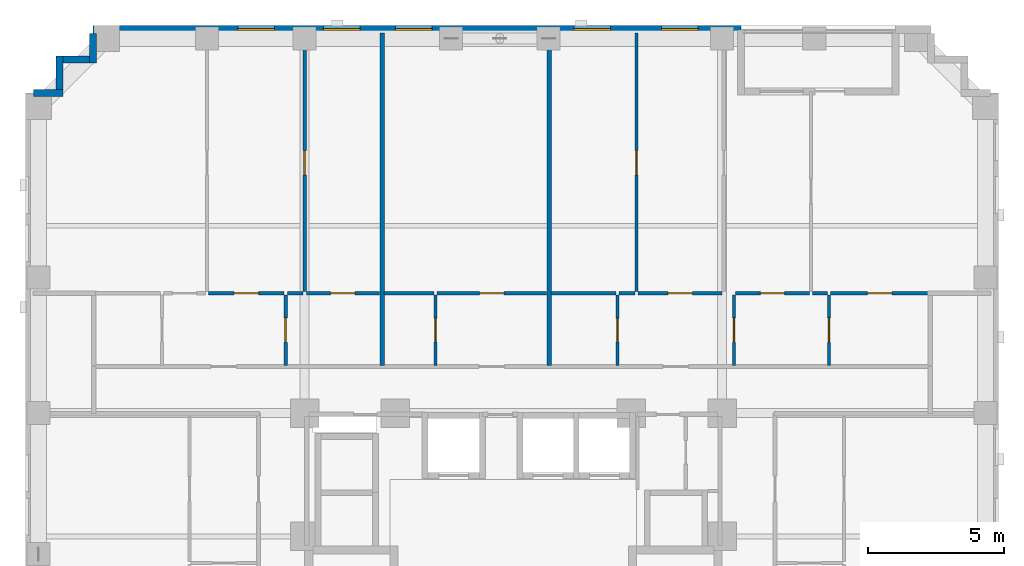
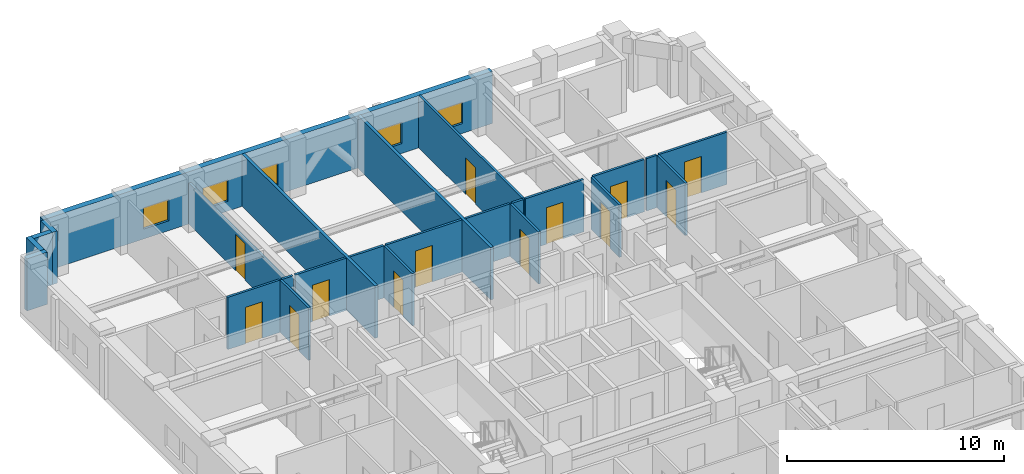
# One storey, part 7 of 12: 25 walls, 13 doors, 5 windows, 18 openings.
"""IFC4 building model written with IfcOpenShell, lengths in metres."""

from ifc_helpers import new_model, si_unit, derived_unit, direction, frame, frame_2d, origin, place, context, subcontext, project, spatial, rectangle, extrude, material, layer, layer_set, type_object, element, fill, save


model = new_model("IFC4")

# Units and contexts
model_context = context("Model", 3, precision=1e-05, world=origin(), true_north=direction((0.0, 1.0)))
body_context = subcontext(model_context, "Body", "Model", "MODEL_VIEW")
ifc_project = project(units=[si_unit("LENGTHUNIT", "METRE"), si_unit("AREAUNIT", "SQUARE_METRE"), si_unit("VOLUMEUNIT", "CUBIC_METRE"), si_unit("PLANEANGLEUNIT", "RADIAN"), si_unit("MASSUNIT", "GRAM", prefix="KILO"), derived_unit("THERMALTRANSMITTANCEUNIT", [(si_unit("MASSUNIT", "GRAM", prefix="KILO"), 1), (si_unit("TIMEUNIT", "SECOND"), -3), (si_unit("THERMODYNAMICTEMPERATUREUNIT", "KELVIN"), -1)])], contexts=[model_context])

# Site, building, storey
site_placement = place(None, origin())
site = spatial("IfcSite", under=ifc_project, at=site_placement, CompositionType="ELEMENT")
building_placement = place(site_placement, origin())
building = spatial("IfcBuilding", under=site, at=building_placement, Name="Korrvale Station Residences", CompositionType="ELEMENT")
storey_placement = place(building_placement, frame((0.0, 0.0, 94.300048828125)))
storey = spatial("IfcBuildingStorey", under=building, at=storey_placement, Name="L26", CompositionType="ELEMENT", Elevation=94.300048828125)

# Walls
ifc_material_1 = material(Name="Precast concrete C45/55", Category="concrete")
ifc_layer_1 = layer(ifc_material_1, 0.260009765625, Name="Precast concrete C45/55")
ifc_layer_set_1 = layer_set([ifc_layer_1], Name="Precast concrete C45/55")
wall_type_1 = type_object("IfcWallType", Name="WAL-EXT-LOG260", PredefinedType="SOLIDWALL", material=ifc_layer_set_1)
wall_1_placement = place(storey_placement, frame((7.802001953125, 40.800048828125, 0.0), z_axis=(0.0, 0.0, 1.0), x_axis=(1.0, 0.0, 0.0)))
element("IfcWall", 1, at=wall_1_placement, inside=storey, type_object=wall_type_1, Name="L26 Serrated Corner Precast Step NW-1", PredefinedType="SOLIDWALL", context=body_context, shape_type="SweptSolid", body=[
    extrude(rectangle(XDim=1.077880859375, YDim=0.260009765625, at=frame_2d((0.5390625, 0.0))), origin(), (0.0, 0.0, 1.0), 2.93994140625),
])
wall_2_placement = place(storey_placement, frame((8.75, 40.931884765625, 0.0), z_axis=(0.0, 0.0, 1.0), x_axis=(0.0, 1.0, 0.0)))
element("IfcWall", 2, at=wall_2_placement, inside=storey, type_object=wall_type_1, Name="L26 Serrated Corner Precast Step NW-2", PredefinedType="SOLIDWALL", context=body_context, shape_type="SweptSolid", body=[
    extrude(rectangle(XDim=1.248046875, YDim=0.260009765625, at=frame_2d((0.6240234375, 0.0))), origin(), (0.0, 0.0, 1.0), 2.93994140625),
])
wall_3_placement = place(storey_placement, frame((8.882080078125, 42.050048828125, 0.0), z_axis=(0.0, 0.0, 1.0), x_axis=(1.0, 0.0, 0.0)))
element("IfcWall", 3, at=wall_3_placement, inside=storey, type_object=wall_type_1, Name="L26 Serrated Corner Precast Step NW-3", PredefinedType="SOLIDWALL", context=body_context, shape_type="SweptSolid", body=[
    extrude(rectangle(XDim=0.98583984375, YDim=0.260009765625, at=frame_2d((0.492919921875, 0.0))), origin(), (0.0, 0.0, 1.0), 2.93994140625),
])
wall_4_placement = place(storey_placement, frame((10.0, 41.919921875, 0.0), z_axis=(0.0, 0.0, 1.0), x_axis=(0.0, 1.0, 0.0)))
element("IfcWall", 4, at=wall_4_placement, inside=storey, type_object=wall_type_1, Name="L26 Serrated Corner Precast Step NW-4", PredefinedType="SOLIDWALL", context=body_context, shape_type="SweptSolid", body=[
    extrude(rectangle(XDim=1.078125, YDim=0.260009765625, at=frame_2d((0.5390625, 0.0))), origin(), (0.0, 0.0, 1.0), 2.93994140625),
])

# Wall, openings, windows
ifc_layer_2 = layer(ifc_material_1, 0.300048828125, Name="Precast concrete C45/55")
ifc_layer_set_2 = layer_set([ifc_layer_2], Name="Precast concrete C45/55")
wall_type_2 = type_object("IfcWallType", Name="WAL-EXT-PC300", PredefinedType="SOLIDWALL", material=ifc_layer_set_2)
wall_5_placement = place(storey_placement, frame((10.0, 43.14990234375, 0.0), z_axis=(0.0, 0.0, 1.0), x_axis=(1.0, 0.0, 0.0)))
wall_5 = element("IfcWall", 5, at=wall_5_placement, inside=storey, type_object=wall_type_2, Name="L26 North Exterior Precast Wall 1", PredefinedType="SOLIDWALL", context=body_context, shape_type="SweptSolid", body=[
    extrude(rectangle(XDim=23.89990234375, YDim=0.300048828125, at=frame_2d((11.949951171875, 0.0))), origin(), (0.0, 0.0, 1.0), 2.93994140625),
])
opening_1_placement = place(wall_5_placement, frame((5.3369140625, 0.0, 0.550048828125)))
opening_1 = element("IfcOpeningElement", 6, at=opening_1_placement, cuts=wall_5, Name="Opening W-10", PredefinedType="OPENING", context=body_context, shape_type="SweptSolid", body=[
    extrude(rectangle(XDim=1.35009765625, YDim=1.199951171875, at=frame_2d((0.675048828125, 0.60009765625))), frame((0.0, 0.16015625, 0.0), z_axis=(0.0, -1.0, 0.0), x_axis=(1.0, 0.0, 0.0)), (0.0, 0.0, 1.0), 0.320068359375),
])
opening_2_placement = place(wall_5_placement, frame((8.493896484375, 0.0, 0.550048828125)))
opening_2 = element("IfcOpeningElement", 7, at=opening_2_placement, cuts=wall_5, Name="Opening W-10", PredefinedType="OPENING", context=body_context, shape_type="SweptSolid", body=[
    extrude(rectangle(XDim=1.35009765625, YDim=1.199951171875, at=frame_2d((0.675048828125, 0.60009765625))), frame((0.0, 0.16015625, 0.0), z_axis=(0.0, -1.0, 0.0), x_axis=(1.0, 0.0, 0.0)), (0.0, 0.0, 1.0), 0.320068359375),
])
opening_3_placement = place(wall_5_placement, frame((11.14990234375, 0.0, 0.550048828125)))
opening_3 = element("IfcOpeningElement", 8, at=opening_3_placement, cuts=wall_5, Name="Opening W-10", PredefinedType="OPENING", context=body_context, shape_type="SweptSolid", body=[
    extrude(rectangle(XDim=1.35009765625, YDim=1.199951171875, at=frame_2d((0.675048828125, 0.60009765625))), frame((0.0, 0.16015625, 0.0), z_axis=(0.0, -1.0, 0.0), x_axis=(1.0, 0.0, 0.0)), (0.0, 0.0, 1.0), 0.320068359375),
])
opening_4_placement = place(wall_5_placement, frame((17.738037109375, 0.0, 0.550048828125)))
opening_4 = element("IfcOpeningElement", 9, at=opening_4_placement, cuts=wall_5, Name="Opening W-10", PredefinedType="OPENING", context=body_context, shape_type="SweptSolid", body=[
    extrude(rectangle(XDim=1.35009765625, YDim=1.199951171875, at=frame_2d((0.675048828125, 0.60009765625))), frame((0.0, 0.16015625, 0.0), z_axis=(0.0, -1.0, 0.0), x_axis=(1.0, 0.0, 0.0)), (0.0, 0.0, 1.0), 0.320068359375),
])
opening_5_placement = place(wall_5_placement, frame((20.969970703125, 0.0, 0.550048828125)))
opening_5 = element("IfcOpeningElement", 10, at=opening_5_placement, cuts=wall_5, Name="Opening W-10", PredefinedType="OPENING", context=body_context, shape_type="SweptSolid", body=[
    extrude(rectangle(XDim=1.35009765625, YDim=1.199951171875, at=frame_2d((0.675048828125, 0.60009765625))), frame((0.0, 0.16015625, 0.0), z_axis=(0.0, -1.0, 0.0), x_axis=(1.0, 0.0, 0.0)), (0.0, 0.0, 1.0), 0.320068359375),
])
ifc_material_2 = material(Name="Thermally broken aluminium frame with triple low-e glazing", Category="aluminium")
window_type = type_object("IfcWindowType", Name="WIN-W10", PartitioningType="SINGLE_PANEL", PredefinedType="WINDOW", material=ifc_material_2)
window_1_placement = place(opening_1_placement, origin())
window_1 = element("IfcWindow", 11, at=window_1_placement, inside=storey, type_object=window_type, Name="L26 Punched Window 13", OverallHeight=1.199951171875, OverallWidth=1.35009765625, PartitioningType="SINGLE_PANEL", PredefinedType="WINDOW", context=body_context, shape_type="SweptSolid", body=[
    extrude(rectangle(XDim=1.35009765625, YDim=1.199951171875, at=frame_2d((0.675048828125, 0.60009765625))), frame((0.0, 0.030029296875, 0.0), z_axis=(0.0, -1.0, 0.0), x_axis=(1.0, 0.0, 0.0)), (0.0, 0.0, 1.0), 0.06005859375),
])
fill(opening_1, window_1)
window_2_placement = place(opening_2_placement, origin())
window_2 = element("IfcWindow", 12, at=window_2_placement, inside=storey, type_object=window_type, Name="L26 Punched Window 14", OverallHeight=1.199951171875, OverallWidth=1.35009765625, PartitioningType="SINGLE_PANEL", PredefinedType="WINDOW", context=body_context, shape_type="SweptSolid", body=[
    extrude(rectangle(XDim=1.35009765625, YDim=1.199951171875, at=frame_2d((0.675048828125, 0.60009765625))), frame((0.0, 0.030029296875, 0.0), z_axis=(0.0, -1.0, 0.0), x_axis=(1.0, 0.0, 0.0)), (0.0, 0.0, 1.0), 0.06005859375),
])
fill(opening_2, window_2)
window_3_placement = place(opening_3_placement, origin())
window_3 = element("IfcWindow", 13, at=window_3_placement, inside=storey, type_object=window_type, Name="L26 Punched Window 15", OverallHeight=1.199951171875, OverallWidth=1.35009765625, PartitioningType="SINGLE_PANEL", PredefinedType="WINDOW", context=body_context, shape_type="SweptSolid", body=[
    extrude(rectangle(XDim=1.35009765625, YDim=1.199951171875, at=frame_2d((0.675048828125, 0.60009765625))), frame((0.0, 0.030029296875, 0.0), z_axis=(0.0, -1.0, 0.0), x_axis=(1.0, 0.0, 0.0)), (0.0, 0.0, 1.0), 0.06005859375),
])
fill(opening_3, window_3)
window_4_placement = place(opening_4_placement, origin())
window_4 = element("IfcWindow", 14, at=window_4_placement, inside=storey, type_object=window_type, Name="L26 Punched Window 16", OverallHeight=1.199951171875, OverallWidth=1.35009765625, PartitioningType="SINGLE_PANEL", PredefinedType="WINDOW", context=body_context, shape_type="SweptSolid", body=[
    extrude(rectangle(XDim=1.35009765625, YDim=1.199951171875, at=frame_2d((0.675048828125, 0.60009765625))), frame((0.0, 0.030029296875, 0.0), z_axis=(0.0, -1.0, 0.0), x_axis=(1.0, 0.0, 0.0)), (0.0, 0.0, 1.0), 0.06005859375),
])
fill(opening_4, window_4)
window_5_placement = place(opening_5_placement, origin())
window_5 = element("IfcWindow", 15, at=window_5_placement, inside=storey, type_object=window_type, Name="L26 Punched Window 17", OverallHeight=1.199951171875, OverallWidth=1.35009765625, PartitioningType="SINGLE_PANEL", PredefinedType="WINDOW", context=body_context, shape_type="SweptSolid", body=[
    extrude(rectangle(XDim=1.35009765625, YDim=1.199951171875, at=frame_2d((0.675048828125, 0.60009765625))), frame((0.0, 0.030029296875, 0.0), z_axis=(0.0, -1.0, 0.0), x_axis=(1.0, 0.0, 0.0)), (0.0, 0.0, 1.0), 0.06005859375),
])
fill(opening_5, window_5)

# Wall, opening, door
ifc_material_3 = material(Name="Acoustic steel-stud gypsum board partition", Category="steel")
ifc_layer_3 = layer(ifc_material_3, 0.1201171875, Name="Acoustic steel-stud gypsum board partition")
ifc_layer_set_3 = layer_set([ifc_layer_3], Name="Acoustic steel-stud gypsum board partition")
wall_type_3 = type_object("IfcWallType", Name="WAL-PART-125", PredefinedType="PARTITIONING", material=ifc_layer_set_3)
wall_6_placement = place(storey_placement, frame((17.10009765625, 30.760009765625, 0.0), z_axis=(0.0, 0.0, 1.0), x_axis=(0.0, 1.0, 0.0)))
wall_6 = element("IfcWall", 16, at=wall_6_placement, inside=storey, type_object=wall_type_3, Name="L26 Suite Partition U05-V12", PredefinedType="PARTITIONING", context=body_context, shape_type="SweptSolid", body=[
    extrude(rectangle(XDim=2.60009765625, YDim=0.1201171875, at=frame_2d((1.300048828125, 0.0))), origin(), (0.0, 0.0, 1.0), 2.93994140625),
])
opening_6_placement = place(wall_6_placement, frame((0.85009765625, 0.0, 0.0)))
opening_6 = element("IfcOpeningElement", 17, at=opening_6_placement, cuts=wall_6, Name="Opening DI-900", PredefinedType="OPENING", context=body_context, shape_type="SweptSolid", body=[
    extrude(rectangle(XDim=0.89990234375, YDim=2.050048828125, at=frame_2d((0.449951171875, 1.02490234375))), frame((0.0, 0.070068359375, 0.0), z_axis=(0.0, -1.0, 0.0), x_axis=(1.0, 0.0, 0.0)), (0.0, 0.0, 1.0), 0.14013671875),
])
ifc_material_4 = material(Name="Painted solid-core timber interior room door", Category="wood")
door_type_1 = type_object("IfcDoorType", Name="DR-INT-900", OperationType="NOTDEFINED", PredefinedType="DOOR", material=ifc_material_4)
door_1_placement = place(opening_6_placement, origin())
door_1 = element("IfcDoor", 18, at=door_1_placement, inside=storey, type_object=door_type_1, Name="L26 Apartment 2BR L26-U05 Kitchen Door", OperationType="SINGLE_SWING_RIGHT", OverallHeight=2.050048828125, OverallWidth=0.89990234375, PredefinedType="DOOR", context=body_context, shape_type="SweptSolid", body=[
    extrude(rectangle(XDim=0.89990234375, YDim=2.050048828125, at=frame_2d((0.449951171875, 1.02490234375))), frame((0.0, 0.02490234375, 0.0), z_axis=(0.0, -1.0, 0.0), x_axis=(1.0, 0.0, 0.0)), (0.0, 0.0, 1.0), 0.050048828125),
])
fill(opening_6, door_1)

wall_7_placement = place(storey_placement, frame((14.260009765625, 33.419921875, 0.0), z_axis=(0.0, 0.0, 1.0), x_axis=(1.0, 0.0, 0.0)))
wall_7 = element("IfcWall", 19, at=wall_7_placement, inside=storey, type_object=wall_type_3, Name="L26 Suite Partition U05-H14", PredefinedType="PARTITIONING", context=body_context, shape_type="SweptSolid", body=[
    extrude(rectangle(XDim=2.780029296875, YDim=0.1201171875, at=frame_2d((1.39013671875, 0.0))), origin(), (0.0, 0.0, 1.0), 2.93994140625),
])
opening_7_placement = place(wall_7_placement, frame((0.93994140625, 0.0, 0.0)))
opening_7 = element("IfcOpeningElement", 20, at=opening_7_placement, cuts=wall_7, Name="Opening DI-900", PredefinedType="OPENING", context=body_context, shape_type="SweptSolid", body=[
    extrude(rectangle(XDim=0.89990234375, YDim=2.050048828125, at=frame_2d((0.449951171875, 1.02490234375))), frame((0.0, 0.070068359375, 0.0), z_axis=(0.0, -1.0, 0.0), x_axis=(1.0, 0.0, 0.0)), (0.0, 0.0, 1.0), 0.14013671875),
])
door_2_placement = place(opening_7_placement, origin())
door_2 = element("IfcDoor", 21, at=door_2_placement, inside=storey, type_object=door_type_1, Name="L26 Apartment 2BR L26-U05 Kitchen Door", OperationType="SINGLE_SWING_RIGHT", OverallHeight=2.050048828125, OverallWidth=0.89990234375, PredefinedType="DOOR", context=body_context, shape_type="SweptSolid", body=[
    extrude(rectangle(XDim=0.89990234375, YDim=2.050048828125, at=frame_2d((0.449951171875, 1.02490234375))), frame((0.0, 0.02490234375, 0.0), z_axis=(0.0, -1.0, 0.0), x_axis=(1.0, 0.0, 0.0)), (0.0, 0.0, 1.0), 0.050048828125),
])
fill(opening_7, door_2)

# Wall
wall_8_placement = place(storey_placement, frame((17.159912109375, 33.419921875, 0.0), z_axis=(0.0, 0.0, 1.0), x_axis=(1.0, 0.0, 0.0)))
element("IfcWall", 22, at=wall_8_placement, inside=storey, type_object=wall_type_3, Name="L26 Suite Partition U05-H24", PredefinedType="PARTITIONING", context=body_context, shape_type="SweptSolid", body=[
    extrude(rectangle(XDim=0.580078125, YDim=0.1201171875, at=frame_2d((0.2900390625, 0.0))), origin(), (0.0, 0.0, 1.0), 2.93994140625),
])

# Wall, opening, door
wall_9_placement = place(storey_placement, frame((17.860107421875, 33.419921875, 0.0), z_axis=(0.0, 0.0, 1.0), x_axis=(1.0, 0.0, 0.0)))
wall_9 = element("IfcWall", 23, at=wall_9_placement, inside=storey, type_object=wall_type_3, Name="L26 Suite Partition U05-H25", PredefinedType="PARTITIONING", context=body_context, shape_type="SweptSolid", body=[
    extrude(rectangle(XDim=2.698974609375, YDim=0.1201171875, at=frame_2d((1.349609375, 0.0))), origin(), (0.0, 0.0, 1.0), 2.93994140625),
])
opening_8_placement = place(wall_9_placement, frame((0.89892578125, 0.0, 0.0)))
opening_8 = element("IfcOpeningElement", 24, at=opening_8_placement, cuts=wall_9, Name="Opening DI-900", PredefinedType="OPENING", context=body_context, shape_type="SweptSolid", body=[
    extrude(rectangle(XDim=0.89990234375, YDim=2.050048828125, at=frame_2d((0.449951171875, 1.02490234375))), frame((0.0, 0.070068359375, 0.0), z_axis=(0.0, -1.0, 0.0), x_axis=(1.0, 0.0, 0.0)), (0.0, 0.0, 1.0), 0.14013671875),
])
door_3_placement = place(opening_8_placement, origin())
door_3 = element("IfcDoor", 25, at=door_3_placement, inside=storey, type_object=door_type_1, Name="L26 Apartment 2BR L26-U05 Home Study Room Door", OperationType="SINGLE_SWING_LEFT", OverallHeight=2.050048828125, OverallWidth=0.89990234375, PredefinedType="DOOR", context=body_context, shape_type="SweptSolid", body=[
    extrude(rectangle(XDim=0.89990234375, YDim=2.050048828125, at=frame_2d((0.449951171875, 1.02490234375))), frame((0.0, 0.02490234375, 0.0), z_axis=(0.0, -1.0, 0.0), x_axis=(1.0, 0.0, 0.0)), (0.0, 0.0, 1.0), 0.050048828125),
])
fill(opening_8, door_3)

wall_10_placement = place(storey_placement, frame((17.800048828125, 33.47998046875, 0.0), z_axis=(0.0, 0.0, 1.0), x_axis=(0.0, 1.0, 0.0)))
wall_10 = element("IfcWall", 26, at=wall_10_placement, inside=storey, type_object=wall_type_3, Name="L26 Suite Partition U05-V45", PredefinedType="PARTITIONING", context=body_context, shape_type="SweptSolid", body=[
    extrude(rectangle(XDim=9.5400390625, YDim=0.1201171875, at=frame_2d((4.77001953125, 0.0))), origin(), (0.0, 0.0, 1.0), 2.308837890625),
])
opening_9_placement = place(wall_10_placement, frame((4.304931640625, 0.0, 0.0)))
opening_9 = element("IfcOpeningElement", 27, at=opening_9_placement, cuts=wall_10, Name="Opening DI-900", PredefinedType="OPENING", context=body_context, shape_type="SweptSolid", body=[
    extrude(rectangle(XDim=0.89990234375, YDim=2.050048828125, at=frame_2d((0.449951171875, 1.02490234375))), frame((0.0, 0.070068359375, 0.0), z_axis=(0.0, -1.0, 0.0), x_axis=(1.0, 0.0, 0.0)), (0.0, 0.0, 1.0), 0.14013671875),
])
door_4_placement = place(opening_9_placement, origin())
door_4 = element("IfcDoor", 28, at=door_4_placement, inside=storey, type_object=door_type_1, Name="L26 Apartment 2BR L26-U05 Bedroom 1 Door", OperationType="SINGLE_SWING_LEFT", OverallHeight=2.050048828125, OverallWidth=0.89990234375, PredefinedType="DOOR", context=body_context, shape_type="SweptSolid", body=[
    extrude(rectangle(XDim=0.89990234375, YDim=2.050048828125, at=frame_2d((0.449951171875, 1.02490234375))), frame((0.0, 0.02490234375, 0.0), z_axis=(0.0, -1.0, 0.0), x_axis=(1.0, 0.0, 0.0)), (0.0, 0.0, 1.0), 0.050048828125),
])
fill(opening_9, door_4)

wall_11_placement = place(storey_placement, frame((22.62890625, 30.760009765625, 0.0), z_axis=(0.0, 0.0, 1.0), x_axis=(0.0, 1.0, 0.0)))
wall_11 = element("IfcWall", 29, at=wall_11_placement, inside=storey, type_object=wall_type_3, Name="L26 Suite Partition U06-V01", PredefinedType="PARTITIONING", context=body_context, shape_type="SweptSolid", body=[
    extrude(rectangle(XDim=2.60009765625, YDim=0.1201171875, at=frame_2d((1.300048828125, 0.0))), origin(), (0.0, 0.0, 1.0), 2.93994140625),
])
opening_10_placement = place(wall_11_placement, frame((0.8701171875, 0.0, 0.0)))
opening_10 = element("IfcOpeningElement", 30, at=opening_10_placement, cuts=wall_11, Name="Opening DB-860", PredefinedType="OPENING", context=body_context, shape_type="SweptSolid", body=[
    extrude(rectangle(XDim=0.860107421875, YDim=2.050048828125, at=frame_2d((0.43017578125, 1.02490234375))), frame((0.0, 0.070068359375, 0.0), z_axis=(0.0, -1.0, 0.0), x_axis=(1.0, 0.0, 0.0)), (0.0, 0.0, 1.0), 0.14013671875),
])
ifc_material_5 = material(Name="Moisture-resistant solid-core bathroom door", Category="timber")
door_type_2 = type_object("IfcDoorType", Name="DR-BATH-860", OperationType="NOTDEFINED", PredefinedType="DOOR", material=ifc_material_5)
door_5_placement = place(opening_10_placement, origin())
door_5 = element("IfcDoor", 31, at=door_5_placement, inside=storey, type_object=door_type_2, Name="L26 Studio Apartment L26-U06 Bathroom Door", OperationType="SINGLE_SWING_RIGHT", OverallHeight=2.050048828125, OverallWidth=0.860107421875, PredefinedType="DOOR", context=body_context, shape_type="SweptSolid", body=[
    extrude(rectangle(XDim=0.860107421875, YDim=2.050048828125, at=frame_2d((0.43017578125, 1.02490234375))), frame((0.0, 0.02490234375, 0.0), z_axis=(0.0, -1.0, 0.0), x_axis=(1.0, 0.0, 0.0)), (0.0, 0.0, 1.0), 0.050048828125),
])
fill(opening_10, door_5)

# Wall
wall_12_placement = place(storey_placement, frame((20.718994140625, 33.419921875, 0.0), z_axis=(0.0, 0.0, 1.0), x_axis=(1.0, 0.0, 0.0)))
element("IfcWall", 32, at=wall_12_placement, inside=storey, type_object=wall_type_3, Name="L26 Suite Partition U06-H02", PredefinedType="PARTITIONING", context=body_context, shape_type="SweptSolid", body=[
    extrude(rectangle(XDim=1.85009765625, YDim=0.1201171875, at=frame_2d((0.925048828125, 0.0))), origin(), (0.0, 0.0, 1.0), 2.93994140625),
])

# Wall, opening, door
wall_13_placement = place(storey_placement, frame((22.68896484375, 33.419921875, 0.0), z_axis=(0.0, 0.0, 1.0), x_axis=(1.0, 0.0, 0.0)))
wall_13 = element("IfcWall", 33, at=wall_13_placement, inside=storey, type_object=wall_type_3, Name="L26 Suite Partition U06-H12", PredefinedType="PARTITIONING", context=body_context, shape_type="SweptSolid", body=[
    extrude(rectangle(XDim=4.031005859375, YDim=0.1201171875, at=frame_2d((2.015625, 0.0))), origin(), (0.0, 0.0, 1.0), 2.93994140625),
])
opening_11_placement = place(wall_13_placement, frame((1.56494140625, 0.0, 0.0)))
opening_11 = element("IfcOpeningElement", 34, at=opening_11_placement, cuts=wall_13, Name="Opening DI-900", PredefinedType="OPENING", context=body_context, shape_type="SweptSolid", body=[
    extrude(rectangle(XDim=0.89990234375, YDim=2.050048828125, at=frame_2d((0.449951171875, 1.02490234375))), frame((0.0, 0.070068359375, 0.0), z_axis=(0.0, -1.0, 0.0), x_axis=(1.0, 0.0, 0.0)), (0.0, 0.0, 1.0), 0.14013671875),
])
door_6_placement = place(opening_11_placement, origin())
door_6 = element("IfcDoor", 35, at=door_6_placement, inside=storey, type_object=door_type_1, Name="L26 Studio Apartment L26-U06 Kitchen Door", OperationType="SINGLE_SWING_LEFT", OverallHeight=2.050048828125, OverallWidth=0.89990234375, PredefinedType="DOOR", context=body_context, shape_type="SweptSolid", body=[
    extrude(rectangle(XDim=0.89990234375, YDim=2.050048828125, at=frame_2d((0.449951171875, 1.02490234375))), frame((0.0, 0.02490234375, 0.0), z_axis=(0.0, -1.0, 0.0), x_axis=(1.0, 0.0, 0.0)), (0.0, 0.0, 1.0), 0.050048828125),
])
fill(opening_11, door_6)

wall_14_placement = place(storey_placement, frame((29.340087890625, 30.760009765625, 0.0), z_axis=(0.0, 0.0, 1.0), x_axis=(0.0, 1.0, 0.0)))
wall_14 = element("IfcWall", 36, at=wall_14_placement, inside=storey, type_object=wall_type_3, Name="L26 Suite Partition U07-V01", PredefinedType="PARTITIONING", context=body_context, shape_type="SweptSolid", body=[
    extrude(rectangle(XDim=2.60009765625, YDim=0.1201171875, at=frame_2d((1.300048828125, 0.0))), origin(), (0.0, 0.0, 1.0), 2.93994140625),
])
opening_12_placement = place(wall_14_placement, frame((0.8701171875, 0.0, 0.0)))
opening_12 = element("IfcOpeningElement", 37, at=opening_12_placement, cuts=wall_14, Name="Opening DB-860", PredefinedType="OPENING", context=body_context, shape_type="SweptSolid", body=[
    extrude(rectangle(XDim=0.860107421875, YDim=2.050048828125, at=frame_2d((0.43017578125, 1.02490234375))), frame((0.0, 0.070068359375, 0.0), z_axis=(0.0, -1.0, 0.0), x_axis=(1.0, 0.0, 0.0)), (0.0, 0.0, 1.0), 0.14013671875),
])
door_7_placement = place(opening_12_placement, origin())
door_7 = element("IfcDoor", 38, at=door_7_placement, inside=storey, type_object=door_type_2, Name="L26 Studio Apartment L26-U07 Bathroom Door", OperationType="SINGLE_SWING_RIGHT", OverallHeight=2.050048828125, OverallWidth=0.860107421875, PredefinedType="DOOR", context=body_context, shape_type="SweptSolid", body=[
    extrude(rectangle(XDim=0.860107421875, YDim=2.050048828125, at=frame_2d((0.43017578125, 1.02490234375))), frame((0.0, 0.02490234375, 0.0), z_axis=(0.0, -1.0, 0.0), x_axis=(1.0, 0.0, 0.0)), (0.0, 0.0, 1.0), 0.050048828125),
])
fill(opening_12, door_7)

# Wall
wall_15_placement = place(storey_placement, frame((26.8798828125, 33.419921875, 0.0), z_axis=(0.0, 0.0, 1.0), x_axis=(1.0, 0.0, 0.0)))
element("IfcWall", 39, at=wall_15_placement, inside=storey, type_object=wall_type_3, Name="L26 Suite Partition U07-H04", PredefinedType="PARTITIONING", context=body_context, shape_type="SweptSolid", body=[
    extrude(rectangle(XDim=2.400146484375, YDim=0.1201171875, at=frame_2d((1.2001953125, 0.0))), origin(), (0.0, 0.0, 1.0), 2.93994140625),
])

# Wall, opening, door
wall_16_placement = place(storey_placement, frame((33.639892578125, 30.760009765625, 0.0), z_axis=(0.0, 0.0, 1.0), x_axis=(0.0, 1.0, 0.0)))
wall_16 = element("IfcWall", 40, at=wall_16_placement, inside=storey, type_object=wall_type_3, Name="L26 Suite Partition U07-V12", PredefinedType="PARTITIONING", context=body_context, shape_type="SweptSolid", body=[
    extrude(rectangle(XDim=2.60009765625, YDim=0.1201171875, at=frame_2d((1.300048828125, 0.0))), origin(), (0.0, 0.0, 1.0), 2.93994140625),
])
opening_13_placement = place(wall_16_placement, frame((0.85009765625, 0.0, 0.0)))
opening_13 = element("IfcOpeningElement", 41, at=opening_13_placement, cuts=wall_16, Name="Opening DI-900", PredefinedType="OPENING", context=body_context, shape_type="SweptSolid", body=[
    extrude(rectangle(XDim=0.89990234375, YDim=2.050048828125, at=frame_2d((0.449951171875, 1.02490234375))), frame((0.0, 0.070068359375, 0.0), z_axis=(0.0, -1.0, 0.0), x_axis=(1.0, 0.0, 0.0)), (0.0, 0.0, 1.0), 0.14013671875),
])
door_8_placement = place(opening_13_placement, origin())
door_8 = element("IfcDoor", 42, at=door_8_placement, inside=storey, type_object=door_type_1, Name="L26 Studio Apartment L26-U07 Kitchen Door", OperationType="SINGLE_SWING_LEFT", OverallHeight=2.050048828125, OverallWidth=0.89990234375, PredefinedType="DOOR", context=body_context, shape_type="SweptSolid", body=[
    extrude(rectangle(XDim=0.89990234375, YDim=2.050048828125, at=frame_2d((0.449951171875, 1.02490234375))), frame((0.0, 0.02490234375, 0.0), z_axis=(0.0, -1.0, 0.0), x_axis=(1.0, 0.0, 0.0)), (0.0, 0.0, 1.0), 0.050048828125),
])
fill(opening_13, door_8)

# Wall
wall_17_placement = place(storey_placement, frame((29.39990234375, 33.419921875, 0.0), z_axis=(0.0, 0.0, 1.0), x_axis=(1.0, 0.0, 0.0)))
element("IfcWall", 43, at=wall_17_placement, inside=storey, type_object=wall_type_3, Name="L26 Suite Partition U07-H14", PredefinedType="PARTITIONING", context=body_context, shape_type="SweptSolid", body=[
    extrude(rectangle(XDim=0.580078125, YDim=0.1201171875, at=frame_2d((0.2900390625, 0.0))), origin(), (0.0, 0.0, 1.0), 2.93994140625),
])

# Wall, opening, door
wall_18_placement = place(storey_placement, frame((30.10009765625, 33.419921875, 0.0), z_axis=(0.0, 0.0, 1.0), x_axis=(1.0, 0.0, 0.0)))
wall_18 = element("IfcWall", 44, at=wall_18_placement, inside=storey, type_object=wall_type_3, Name="L26 Suite Partition U07-H15", PredefinedType="PARTITIONING", context=body_context, shape_type="SweptSolid", body=[
    extrude(rectangle(XDim=3.099853515625, YDim=0.1201171875, at=frame_2d((1.5498046875, 0.0))), origin(), (0.0, 0.0, 1.0), 2.93994140625),
])
opening_14_placement = place(wall_18_placement, frame((1.10009765625, 0.0, 0.0)))
opening_14 = element("IfcOpeningElement", 45, at=opening_14_placement, cuts=wall_18, Name="Opening DI-900", PredefinedType="OPENING", context=body_context, shape_type="SweptSolid", body=[
    extrude(rectangle(XDim=0.89990234375, YDim=2.050048828125, at=frame_2d((0.449951171875, 1.02490234375))), frame((0.0, 0.070068359375, 0.0), z_axis=(0.0, -1.0, 0.0), x_axis=(1.0, 0.0, 0.0)), (0.0, 0.0, 1.0), 0.14013671875),
])
door_9_placement = place(opening_14_placement, origin())
door_9 = element("IfcDoor", 46, at=door_9_placement, inside=storey, type_object=door_type_1, Name="L26 Studio Apartment L26-U07 Kitchen Door", OperationType="SINGLE_SWING_RIGHT", OverallHeight=2.050048828125, OverallWidth=0.89990234375, PredefinedType="DOOR", context=body_context, shape_type="SweptSolid", body=[
    extrude(rectangle(XDim=0.89990234375, YDim=2.050048828125, at=frame_2d((0.449951171875, 1.02490234375))), frame((0.0, 0.02490234375, 0.0), z_axis=(0.0, -1.0, 0.0), x_axis=(1.0, 0.0, 0.0)), (0.0, 0.0, 1.0), 0.050048828125),
])
fill(opening_14, door_9)

wall_19_placement = place(storey_placement, frame((37.14501953125, 30.760009765625, 0.0), z_axis=(0.0, 0.0, 1.0), x_axis=(0.0, 1.0, 0.0)))
wall_19 = element("IfcWall", 47, at=wall_19_placement, inside=storey, type_object=wall_type_3, Name="L26 Suite Partition U07-V23", PredefinedType="PARTITIONING", context=body_context, shape_type="SweptSolid", body=[
    extrude(rectangle(XDim=2.60009765625, YDim=0.1201171875, at=frame_2d((1.300048828125, 0.0))), origin(), (0.0, 0.0, 1.0), 2.93994140625),
])
opening_15_placement = place(wall_19_placement, frame((0.85009765625, 0.0, 0.0)))
opening_15 = element("IfcOpeningElement", 48, at=opening_15_placement, cuts=wall_19, Name="Opening DI-900", PredefinedType="OPENING", context=body_context, shape_type="SweptSolid", body=[
    extrude(rectangle(XDim=0.89990234375, YDim=2.050048828125, at=frame_2d((0.449951171875, 1.02490234375))), frame((0.0, 0.070068359375, 0.0), z_axis=(0.0, -1.0, 0.0), x_axis=(1.0, 0.0, 0.0)), (0.0, 0.0, 1.0), 0.14013671875),
])
door_10_placement = place(opening_15_placement, origin())
door_10 = element("IfcDoor", 49, at=door_10_placement, inside=storey, type_object=door_type_1, Name="L26 Studio Apartment L26-U07 Home Study Room Door", OperationType="SINGLE_SWING_LEFT", OverallHeight=2.050048828125, OverallWidth=0.89990234375, PredefinedType="DOOR", context=body_context, shape_type="SweptSolid", body=[
    extrude(rectangle(XDim=0.89990234375, YDim=2.050048828125, at=frame_2d((0.449951171875, 1.02490234375))), frame((0.0, 0.02490234375, 0.0), z_axis=(0.0, -1.0, 0.0), x_axis=(1.0, 0.0, 0.0)), (0.0, 0.0, 1.0), 0.050048828125),
])
fill(opening_15, door_10)

wall_20_placement = place(storey_placement, frame((33.699951171875, 33.419921875, 0.0), z_axis=(0.0, 0.0, 1.0), x_axis=(1.0, 0.0, 0.0)))
wall_20 = element("IfcWall", 50, at=wall_20_placement, inside=storey, type_object=wall_type_3, Name="L26 Suite Partition U07-H26", PredefinedType="PARTITIONING", context=body_context, shape_type="SweptSolid", body=[
    extrude(rectangle(XDim=2.719970703125, YDim=0.1201171875, at=frame_2d((1.35986328125, 0.0))), origin(), (0.0, 0.0, 1.0), 2.93994140625),
])
opening_16_placement = place(wall_20_placement, frame((0.909912109375, 0.0, 0.0)))
opening_16 = element("IfcOpeningElement", 51, at=opening_16_placement, cuts=wall_20, Name="Opening DI-900", PredefinedType="OPENING", context=body_context, shape_type="SweptSolid", body=[
    extrude(rectangle(XDim=0.89990234375, YDim=2.050048828125, at=frame_2d((0.449951171875, 1.02490234375))), frame((0.0, 0.070068359375, 0.0), z_axis=(0.0, -1.0, 0.0), x_axis=(1.0, 0.0, 0.0)), (0.0, 0.0, 1.0), 0.14013671875),
])
door_11_placement = place(opening_16_placement, origin())
door_11 = element("IfcDoor", 52, at=door_11_placement, inside=storey, type_object=door_type_1, Name="L26 Studio Apartment L26-U07 Home Study Room Door", OperationType="SINGLE_SWING_RIGHT", OverallHeight=2.050048828125, OverallWidth=0.89990234375, PredefinedType="DOOR", context=body_context, shape_type="SweptSolid", body=[
    extrude(rectangle(XDim=0.89990234375, YDim=2.050048828125, at=frame_2d((0.449951171875, 1.02490234375))), frame((0.0, 0.02490234375, 0.0), z_axis=(0.0, -1.0, 0.0), x_axis=(1.0, 0.0, 0.0)), (0.0, 0.0, 1.0), 0.050048828125),
])
fill(opening_16, door_11)

# Wall
wall_21_placement = place(storey_placement, frame((36.5400390625, 33.419921875, 0.0), z_axis=(0.0, 0.0, 1.0), x_axis=(1.0, 0.0, 0.0)))
element("IfcWall", 53, at=wall_21_placement, inside=storey, type_object=wall_type_3, Name="L26 Suite Partition U07-H27", PredefinedType="PARTITIONING", context=body_context, shape_type="SweptSolid", body=[
    extrude(rectangle(XDim=0.544921875, YDim=0.1201171875, at=frame_2d((0.2724609375, 0.0))), origin(), (0.0, 0.0, 1.0), 2.93994140625),
])

# Wall, opening, door
wall_22_placement = place(storey_placement, frame((37.205078125, 33.419921875, 0.0), z_axis=(0.0, 0.0, 1.0), x_axis=(1.0, 0.0, 0.0)))
wall_22 = element("IfcWall", 54, at=wall_22_placement, inside=storey, type_object=wall_type_3, Name="L26 Suite Partition U07-H37", PredefinedType="PARTITIONING", context=body_context, shape_type="SweptSolid", body=[
    extrude(rectangle(XDim=3.614990234375, YDim=0.1201171875, at=frame_2d((1.8076171875, 0.0))), origin(), (0.0, 0.0, 1.0), 2.93994140625),
])
opening_17_placement = place(wall_22_placement, frame((1.35791015625, 0.0, 0.0)))
opening_17 = element("IfcOpeningElement", 55, at=opening_17_placement, cuts=wall_22, Name="Opening DI-900", PredefinedType="OPENING", context=body_context, shape_type="SweptSolid", body=[
    extrude(rectangle(XDim=0.89990234375, YDim=2.050048828125, at=frame_2d((0.449951171875, 1.02490234375))), frame((0.0, 0.070068359375, 0.0), z_axis=(0.0, -1.0, 0.0), x_axis=(1.0, 0.0, 0.0)), (0.0, 0.0, 1.0), 0.14013671875),
])
door_12_placement = place(opening_17_placement, origin())
door_12 = element("IfcDoor", 56, at=door_12_placement, inside=storey, type_object=door_type_1, Name="L26 Studio Apartment L26-U07 Utility and Laundry Room Door", OperationType="SINGLE_SWING_LEFT", OverallHeight=2.050048828125, OverallWidth=0.89990234375, PredefinedType="DOOR", context=body_context, shape_type="SweptSolid", body=[
    extrude(rectangle(XDim=0.89990234375, YDim=2.050048828125, at=frame_2d((0.449951171875, 1.02490234375))), frame((0.0, 0.02490234375, 0.0), z_axis=(0.0, -1.0, 0.0), x_axis=(1.0, 0.0, 0.0)), (0.0, 0.0, 1.0), 0.050048828125),
])
fill(opening_17, door_12)

wall_23_placement = place(storey_placement, frame((30.0400390625, 33.47998046875, 0.0), z_axis=(0.0, 0.0, 1.0), x_axis=(0.0, 1.0, 0.0)))
wall_23 = element("IfcWall", 57, at=wall_23_placement, inside=storey, type_object=wall_type_3, Name="L26 Suite Partition U07-V45", PredefinedType="PARTITIONING", context=body_context, shape_type="SweptSolid", body=[
    extrude(rectangle(XDim=9.5400390625, YDim=0.1201171875, at=frame_2d((4.77001953125, 0.0))), origin(), (0.0, 0.0, 1.0), 2.93994140625),
])
opening_18_placement = place(wall_23_placement, frame((4.304931640625, 0.0, 0.0)))
opening_18 = element("IfcOpeningElement", 58, at=opening_18_placement, cuts=wall_23, Name="Opening DI-900", PredefinedType="OPENING", context=body_context, shape_type="SweptSolid", body=[
    extrude(rectangle(XDim=0.89990234375, YDim=2.050048828125, at=frame_2d((0.449951171875, 1.02490234375))), frame((0.0, 0.070068359375, 0.0), z_axis=(0.0, -1.0, 0.0), x_axis=(1.0, 0.0, 0.0)), (0.0, 0.0, 1.0), 0.14013671875),
])
door_13_placement = place(opening_18_placement, origin())
door_13 = element("IfcDoor", 59, at=door_13_placement, inside=storey, type_object=door_type_1, Name="L26 Studio Apartment L26-U07 Formal Dining Room Door", OperationType="SINGLE_SWING_RIGHT", OverallHeight=2.050048828125, OverallWidth=0.89990234375, PredefinedType="DOOR", context=body_context, shape_type="SweptSolid", body=[
    extrude(rectangle(XDim=0.89990234375, YDim=2.050048828125, at=frame_2d((0.449951171875, 1.02490234375))), frame((0.0, 0.02490234375, 0.0), z_axis=(0.0, -1.0, 0.0), x_axis=(1.0, 0.0, 0.0)), (0.0, 0.0, 1.0), 0.050048828125),
])
fill(opening_18, door_13)

# Walls
ifc_material_6 = material(Name="Fire-rated twin-stud gypsum and mineral wool shaftwall assembly", Category="gypsum")
ifc_layer_4 = layer(ifc_material_6, 0.159912109375, Name="Fire-rated twin-stud gypsum and mineral wool shaftwall assembly")
ifc_layer_set_4 = layer_set([ifc_layer_4], Name="Fire-rated twin-stud gypsum and mineral wool shaftwall assembly")
wall_type_4 = type_object("IfcWallType", Name="WAL-PART-200", PredefinedType="PARTITIONING", material=ifc_layer_set_4)
for number, where, z_axis, x_axis, name in (
    (60, (20.658935546875, 30.760009765625, 0.0), (0.0, 0.0, 1.0), (0.0, 1.0, 0.0), "L26 Demising Wall U06-W"),
    (61, (26.820068359375, 30.760009765625, 0.0), (0.0, 0.0, 1.0), (0.0, 1.0, 0.0), "L26 Demising Wall U07-W"),
):
    element("IfcWall", number, at=place(storey_placement, frame(where, z_axis=z_axis, x_axis=x_axis)), inside=storey, type_object=wall_type_4, Name=name, PredefinedType="PARTITIONING", context=body_context, shape_type="SweptSolid", body=[
        extrude(rectangle(XDim=12.260009765625, YDim=0.159912109375, at=frame_2d((6.1298828125, 0.0))), origin(), (0.0, 0.0, 1.0), 2.93994140625),
    ])

save(model, "model.ifc")
